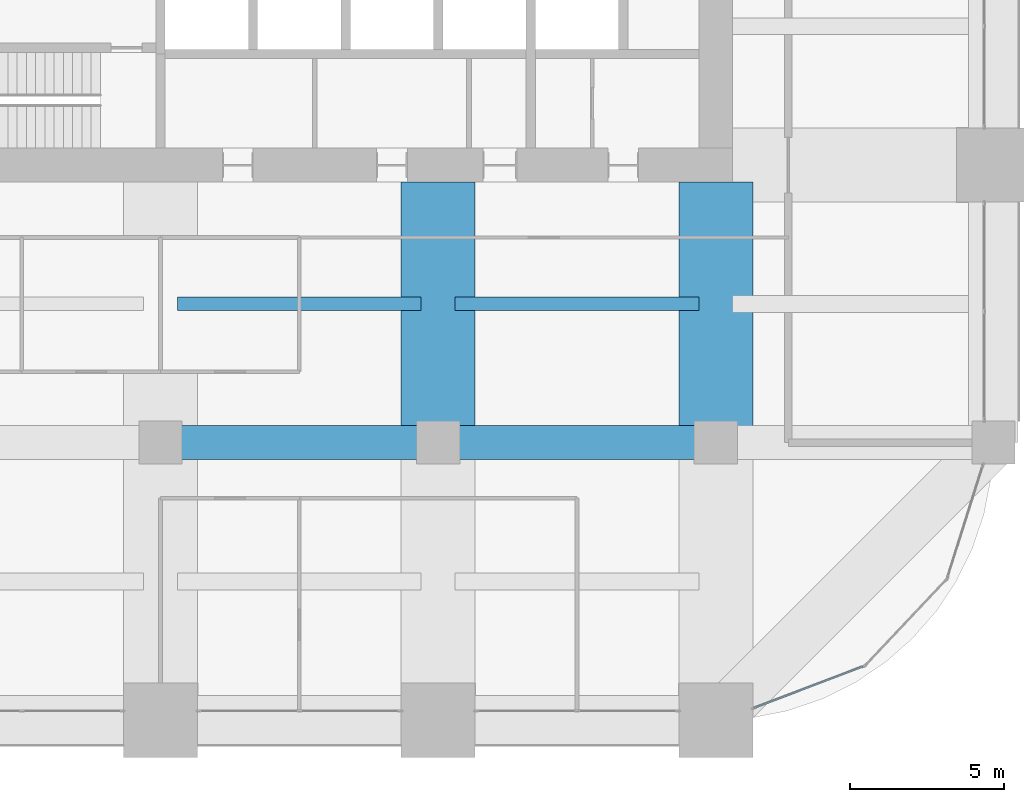
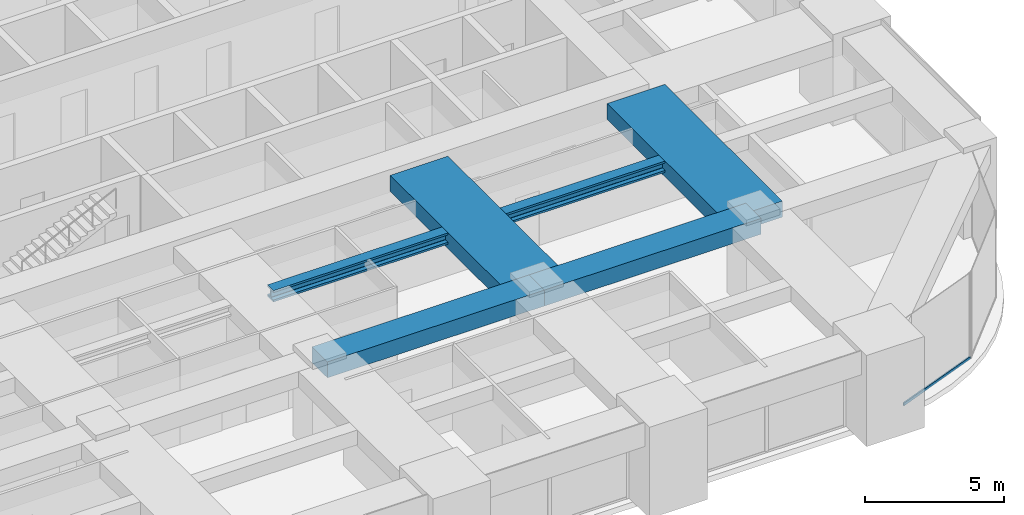
# One storey, part 15 of 34: 6 beams, 1 member, 1 element without a shape of its own.
"""IFC4 building model written with IfcOpenShell, lengths in metres."""

from ifc_helpers import new_model, si_unit, direction, frame, origin, origin_2d, place, context, subcontext, project, spatial, rectangle, hollow_rectangle, i_section, extrude, material, material_profile, profile_set, type_object, element, aggregate, save


model = new_model("IFC4")

# Units and contexts
model_context = context("Model", 3, precision=1e-05, world=origin(), true_north=direction((0.0, 1.0)))
body_context = subcontext(model_context, "Body", "Model", "MODEL_VIEW")
ifc_project = project(units=[si_unit("LENGTHUNIT", "METRE"), si_unit("AREAUNIT", "SQUARE_METRE"), si_unit("VOLUMEUNIT", "CUBIC_METRE"), si_unit("PLANEANGLEUNIT", "RADIAN"), si_unit("MASSUNIT", "GRAM", prefix="KILO")], contexts=[model_context])

# Site, building, storey
site_placement = place(None, origin())
site = spatial("IfcSite", under=ifc_project, at=site_placement, CompositionType="ELEMENT")
building_placement = place(site_placement, origin())
building = spatial("IfcBuilding", under=site, at=building_placement, Name="Zorevar Civic Tower", CompositionType="ELEMENT")
storey_placement = place(building_placement, frame((0.0, 0.0, 226.199951171875)))
storey = spatial("IfcBuildingStorey", under=building, at=storey_placement, Name="L55", CompositionType="ELEMENT", Elevation=226.199951171875)

# Beams
ifc_material_1 = material(Name="Concrete C50/60", Category="concrete")
ifc_material_profile_1 = material_profile(ifc_material_1, rectangle(XDim=1.10009765625, YDim=0.699951171875, at=origin_2d()), Name="RC 1100x700")
ifc_profile_set_1 = profile_set([ifc_material_profile_1], Name="Concrete C50/60")
beam_type_1 = type_object("IfcBeamType", Name="Beam RC 1100x700", PredefinedType="BEAM", material=ifc_profile_set_1)
for number, where, z_axis, x_axis, name in (
    (1, (27.0, 9.0, 3.400146484375), (1.0, 0.0, 0.0), (0.0, 1.0, 0.0), "Girder L56"),
    (2, (36.0, 9.0, 3.400146484375), (1.0, 0.0, 0.0), (0.0, 1.0, 0.0), "Girder L56"),
):
    element("IfcBeam", number, at=place(storey_placement, frame(where, z_axis=z_axis, x_axis=x_axis)), inside=storey, type_object=beam_type_1, Name=name, PredefinedType="BEAM", context=body_context, shape_type="SweptSolid", body=[
        extrude(rectangle(XDim=1.10009765625, YDim=0.699951171875, at=origin_2d()), origin(), (0.0, 0.0, 1.0), 9.0),
    ])
ifc_material_2 = material(Name="Concrete C50/60", Category="concrete")
ifc_material_profile_2 = material_profile(ifc_material_2, rectangle(XDim=2.39990234375, YDim=0.699951171875, at=origin_2d()), Name="RC 2400x700")
ifc_profile_set_2 = profile_set([ifc_material_profile_2], Name="Concrete C50/60")
beam_type_2 = type_object("IfcBeamType", Name="Beam RC 2400x700", PredefinedType="BEAM", material=ifc_profile_set_2)
for number, where, z_axis, x_axis, name in (
    (3, (36.0, 9.0, 3.400146484375), (0.0, 1.0, 0.0), (-1.0, 0.0, 0.0), "Girder L56"),
    (4, (45.0, 9.0, 3.400146484375), (0.0, 1.0, 0.0), (-1.0, 0.0, 0.0), "Girder L56"),
):
    element("IfcBeam", number, at=place(storey_placement, frame(where, z_axis=z_axis, x_axis=x_axis)), inside=storey, type_object=beam_type_2, Name=name, PredefinedType="BEAM", context=body_context, shape_type="SweptSolid", body=[
        extrude(rectangle(XDim=2.39990234375, YDim=0.699951171875, at=origin_2d()), origin(), (0.0, 0.0, 1.0), 8.449951171875),
    ])

# Curtain wall, member
ifc_material_3 = material(Name="Dark grey solar-control glass in black aluminium frame", Category="aluminium")
curtain_wall_type = type_object("IfcCurtainWallType", Name="Curtain wall CW4 high zone", PredefinedType="NOTDEFINED", material=ifc_material_3)
curtain_wall_placement = place(storey_placement, origin())
curtain_wall = element("IfcCurtainWall", 5, at=curtain_wall_placement, inside=storey, type_object=curtain_wall_type, Name="CW4 L55", PredefinedType="NOTDEFINED")
ifc_material_4 = material(Name="Aluminium, black anodised", Category="aluminium")
ifc_material_profile_3 = material_profile(ifc_material_4, hollow_rectangle(XDim=0.06005859375, YDim=0.1201171875, WallThickness=0.0029296875, at=origin_2d()), Name="AL 120x60x3")
ifc_profile_set_3 = profile_set([ifc_material_profile_3], Name="Aluminium, black anodised")
member_type = type_object("IfcMemberType", Name="CW4 transom AL 120x60x3", PredefinedType="USERDEFINED", material=ifc_profile_set_3)
member_placement = place(storey_placement, frame((46.256103515625, 0.404541015625, 0.030029296875), z_axis=(0.934589335576, 0.355728511406, 0.0), x_axis=(-0.355728511406, 0.934589335576, 0.0)))
member = element("IfcMember", 6, at=member_placement, type_object=member_type, Name="CW4 sill transom", ObjectType="TRANSOM", PredefinedType="USERDEFINED", context=body_context, shape_type="SweptSolid", body=[
    extrude(hollow_rectangle(XDim=0.06005859375, YDim=0.1201171875, WallThickness=0.0029296875, at=origin_2d()), origin(), (0.0, 0.0, 1.0), 3.76708984375),
])
aggregate(curtain_wall, [member])

# Beams
ifc_material_5 = material(Name="Steel S460M (HISTAR 460)", Category="steel")
ifc_material_profile_4 = material_profile(ifc_material_5, i_section(OverallWidth=0.431884765625, OverallDepth=0.498046875, WebThickness=0.0556640625, FlangeThickness=0.0888671875, FilletRadius=0.014892578125, at=origin_2d()), Name="HD 400x744")
ifc_profile_set_4 = profile_set([ifc_material_profile_4], Name="Steel S460M (HISTAR 460)")
beam_type_3 = type_object("IfcBeamType", Name="Core bay beam HD 400x744", PredefinedType="BEAM", material=ifc_profile_set_4)
for number, where, z_axis, x_axis, name in (
    (7, (27.550048828125, 13.5, 3.5009765625), (1.0, 0.0, 0.0), (0.0, 1.0, 0.0), "Secondary beam L56"),
    (8, (36.550048828125, 13.5, 3.5009765625), (1.0, 0.0, 0.0), (0.0, 1.0, 0.0), "Secondary beam L56"),
):
    element("IfcBeam", number, at=place(storey_placement, frame(where, z_axis=z_axis, x_axis=x_axis)), inside=storey, type_object=beam_type_3, Name=name, PredefinedType="BEAM", context=body_context, shape_type="SweptSolid", body=[
        extrude(i_section(OverallWidth=0.431884765625, OverallDepth=0.498046875, WebThickness=0.0556640625, FlangeThickness=0.0888671875, FilletRadius=0.014892578125, at=origin_2d()), origin(), (0.0, 0.0, 1.0), 7.89990234375),
    ])

save(model, "model.ifc")
